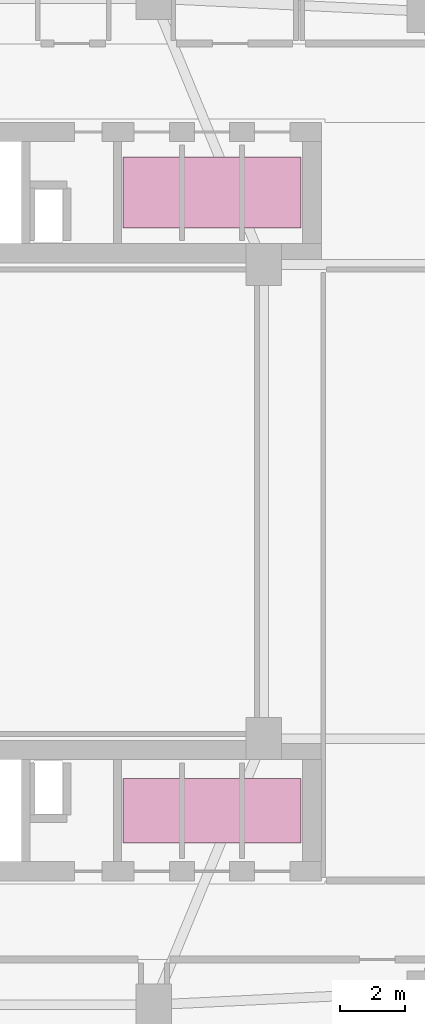
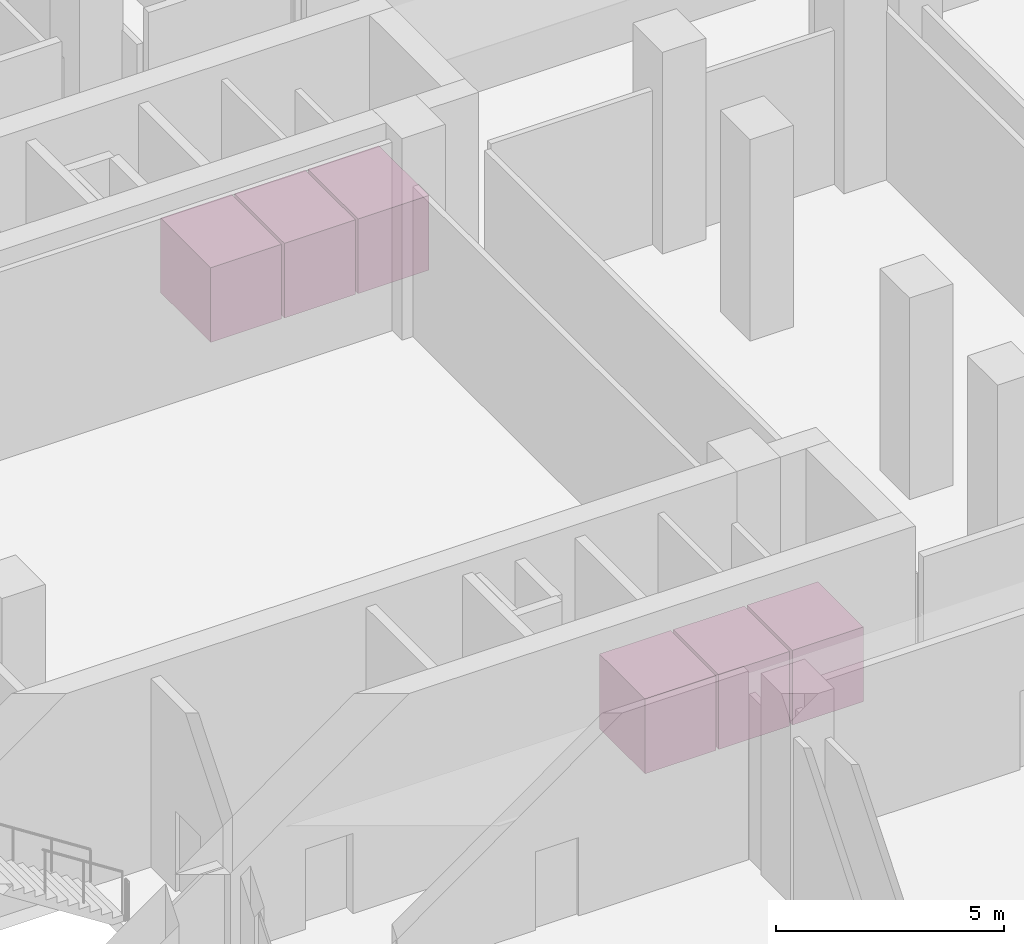
# One storey, part 24 of 24: 6 transport elements.
"""IFC4 building model written with IfcOpenShell, lengths in metres."""

from ifc_helpers import new_model, si_unit, derived_unit, direction, frame, origin, origin_2d, place, context, subcontext, project, spatial, rectangle, extrude, material, type_object, element, save


model = new_model("IFC4")

# Units and contexts
model_context = context("Model", 3, precision=1e-05, world=origin(), true_north=direction((0.0, 1.0)))
body_context = subcontext(model_context, "Body", "Model", "MODEL_VIEW")
ifc_project = project(units=[si_unit("LENGTHUNIT", "METRE"), si_unit("AREAUNIT", "SQUARE_METRE"), si_unit("VOLUMEUNIT", "CUBIC_METRE"), si_unit("PLANEANGLEUNIT", "RADIAN"), si_unit("MASSUNIT", "GRAM", prefix="KILO"), derived_unit("THERMALTRANSMITTANCEUNIT", [(si_unit("POWERUNIT", "WATT"), 1), (si_unit("LENGTHUNIT", "METRE"), -2), (si_unit("THERMODYNAMICTEMPERATUREUNIT", "KELVIN"), -1)])], contexts=[model_context])

# Site, building, storey
site_placement = place(None, origin())
site = spatial("IfcSite", under=ifc_project, at=site_placement, CompositionType="ELEMENT")
building_placement = place(site_placement, origin())
building = spatial("IfcBuilding", under=site, at=building_placement, Name="Kivonza Crest Hotel", CompositionType="ELEMENT")
storey_placement = place(building_placement, origin())
storey = spatial("IfcBuildingStorey", under=building, at=storey_placement, Name="L00", CompositionType="ELEMENT", Elevation=0.0)

# Transport elements
ifc_material = material(Name="Brushed stainless steel lift car enclosure", Category="steel")
transport_element_type_1 = type_object("IfcTransportElementType", Name="LF-T1-HIGH", PredefinedType="ELEVATOR", material=ifc_material)
for number, where, z_axis, x_axis, name in (
    (1, (25.73291015625, 15.419921875, 0.199951171875), (0.0, 0.0, 1.0), (1.0, 0.0, 0.0), "Hotel High-Rise Shuttle Passenger Lift PL-T1-H1"),
    (2, (27.60009765625, 15.419921875, 0.199951171875), (0.0, 0.0, 1.0), (1.0, 0.0, 0.0), "Hotel High-Rise Shuttle Passenger Lift PL-T1-H2"),
    (3, (29.467041015625, 15.419921875, 0.199951171875), (0.0, 0.0, 1.0), (1.0, 0.0, 0.0), "Hotel High-Rise Shuttle Passenger Lift PL-T1-H3"),
):
    element("IfcTransportElement", number, at=place(storey_placement, frame(where, z_axis=z_axis, x_axis=x_axis)), inside=storey, type_object=transport_element_type_1, Name=name, PredefinedType="ELEVATOR", context=body_context, shape_type="SweptSolid", body=[
        extrude(rectangle(XDim=1.800048828125, YDim=2.0, at=origin_2d()), origin(), (0.0, 0.0, 1.0), 2.0),
    ])
transport_element_type_2 = type_object("IfcTransportElementType", Name="LF-T1-LOW", PredefinedType="ELEVATOR", material=ifc_material)
for number, where, z_axis, x_axis, name in (
    (4, (25.73291015625, 34.580078125, 0.199951171875), (0.0, 0.0, 1.0), (1.0, 0.0, 0.0), "Hotel Low-Rise Passenger Lift PL-T1-L1"),
    (5, (27.60009765625, 34.580078125, 0.199951171875), (0.0, 0.0, 1.0), (1.0, 0.0, 0.0), "Hotel Low-Rise Passenger Lift PL-T1-L2"),
    (6, (29.467041015625, 34.580078125, 0.199951171875), (0.0, 0.0, 1.0), (1.0, 0.0, 0.0), "Hotel Low-Rise Passenger Lift PL-T1-L3"),
):
    element("IfcTransportElement", number, at=place(storey_placement, frame(where, z_axis=z_axis, x_axis=x_axis)), inside=storey, type_object=transport_element_type_2, Name=name, PredefinedType="ELEVATOR", context=body_context, shape_type="SweptSolid", body=[
        extrude(rectangle(XDim=1.800048828125, YDim=2.199951171875, at=origin_2d()), origin(), (0.0, 0.0, 1.0), 2.0),
    ])

save(model, "model.ifc")
